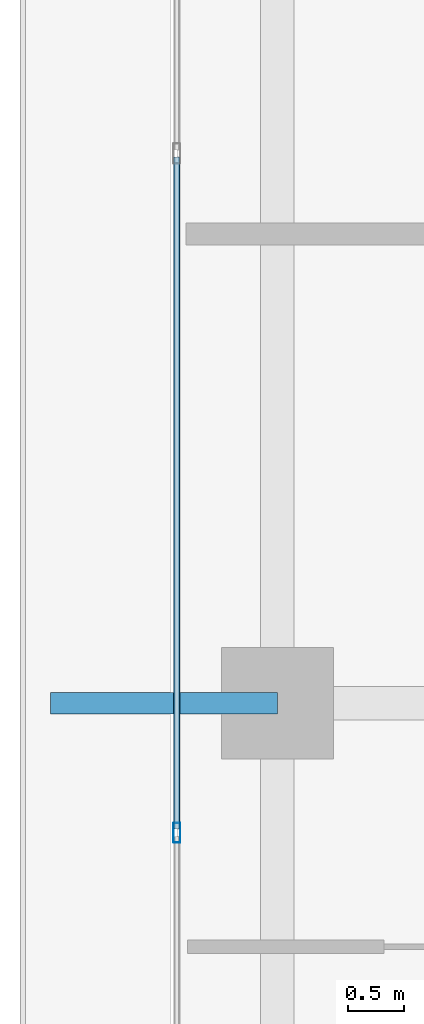
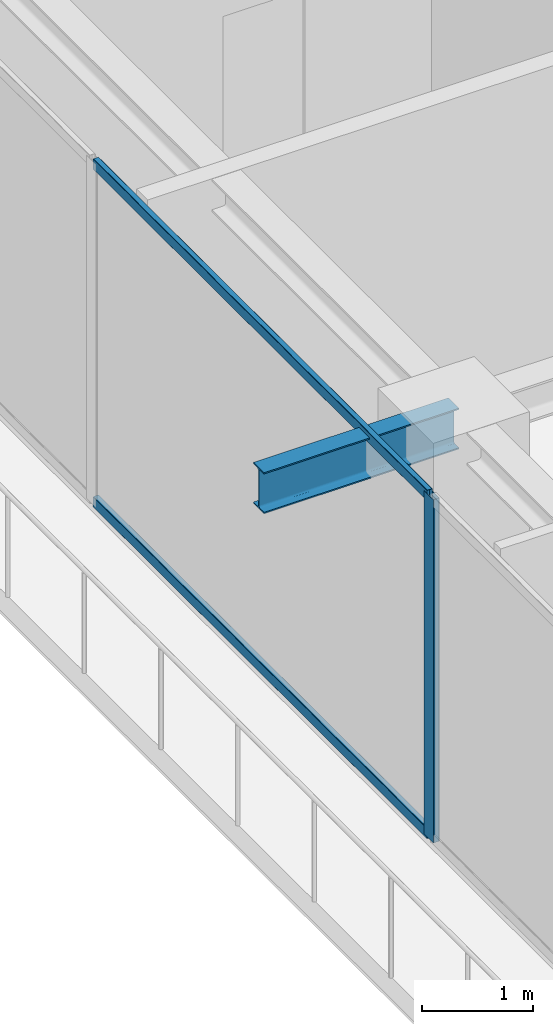
# One storey, part 10 of 42: 3 members, 1 beam, 1 element without a shape of its own.
"""IFC4 building model written with IfcOpenShell, lengths in metres."""

from ifc_helpers import new_model, si_unit, direction, frame, origin, origin_2d, place, context, subcontext, project, spatial, hollow_rectangle, i_section, extrude, source, transform, mapped, material, layer, layer_set, material_profile, profile_set, type_object, element, aggregate, save


model = new_model("IFC4")

# Units and contexts
model_context = context("Model", 3, precision=1e-05, world=origin(), true_north=direction((0.0, 1.0)))
body_context = subcontext(model_context, "Body", "Model", "MODEL_VIEW")
ifc_project = project(units=[si_unit("LENGTHUNIT", "METRE"), si_unit("AREAUNIT", "SQUARE_METRE"), si_unit("VOLUMEUNIT", "CUBIC_METRE"), si_unit("PLANEANGLEUNIT", "RADIAN"), si_unit("MASSUNIT", "GRAM", prefix="KILO")], contexts=[model_context])

# Site, building, storey
site_placement = place(None, origin())
site = spatial("IfcSite", under=ifc_project, at=site_placement, CompositionType="ELEMENT")
building_placement = place(site_placement, origin())
building = spatial("IfcBuilding", under=site, at=building_placement, Name="Serunith Strait Residences", CompositionType="ELEMENT")
storey_placement = place(building_placement, frame((0.0, 0.0, 297.5)))
storey = spatial("IfcBuildingStorey", under=building, at=storey_placement, Name="L74", CompositionType="ELEMENT", Elevation=297.5)

# Beam
ifc_material_1 = material(Name="Steel S355J2", Category="steel")
ifc_material_profile_1 = material_profile(ifc_material_1, i_section(OverallWidth=0.18994140625, OverallDepth=0.449951171875, WebThickness=0.009521484375, FlangeThickness=0.0146484375, FilletRadius=0.02099609375, at=origin_2d()), Name="IPE 450")
ifc_profile_set_1 = profile_set([ifc_material_profile_1], Name="Steel S355J2")
beam_type = type_object("IfcBeamType", Name="BM-IPE450", PredefinedType="JOIST", material=ifc_profile_set_1)
shared_shape_1 = source(origin(), body_context, "Body", "SweptSolid", [
    extrude(i_section(OverallWidth=0.18994140625, OverallDepth=0.449951171875, WebThickness=0.009521484375, FlangeThickness=0.0146484375, FilletRadius=0.02099609375, at=origin_2d()), origin(), (0.0, 0.0, 1.0), 2.030029296875),
])
beam_placement = place(storey_placement, frame((10.10009765625, 29.39990234375, 3.531982421875), z_axis=(-1.0, 0.0, 0.0), x_axis=(0.0, -1.0, 0.0)))
element("IfcBeam", 1, at=beam_placement, inside=storey, type_object=beam_type, Name="L75 Cantilevered Balcony Rib TC-W3", PredefinedType="JOIST", context=body_context, shape_type="MappedRepresentation", body=[
    mapped(shared_shape_1, transform((0.0, 0.0, 0.0), scale=1.0)),
])

# Curtain wall, members
ifc_material_2 = material(Name="Brushed Stainless-Silver Aluminium", Category="aluminium")
ifc_layer = layer(ifc_material_2, 0.199951171875, Name="Brushed Stainless-Silver Aluminium")
ifc_layer_set = layer_set([ifc_layer], Name="Brushed Stainless-Silver Aluminium")
curtain_wall_type = type_object("IfcCurtainWallType", Name="CW-SYS5", PredefinedType="NOTDEFINED", material=ifc_layer_set)
curtain_wall_placement = place(storey_placement, origin())
curtain_wall = element("IfcCurtainWall", 2, at=curtain_wall_placement, inside=storey, type_object=curtain_wall_type, Name="L74 W Unitised Fritted Curtain Wall", PredefinedType="NOTDEFINED")
ifc_material_profile_2 = material_profile(ifc_material_2, hollow_rectangle(XDim=0.06005859375, YDim=0.1201171875, WallThickness=0.00341796875, InnerFilletRadius=0.00537109375, OuterFilletRadius=0.0087890625, at=origin_2d()), Name="ALU 120x60x3.5")
ifc_profile_set_2 = profile_set([ifc_material_profile_2], Name="Brushed Stainless-Silver Aluminium")
member_type_1 = type_object("IfcMemberType", Name="CW-SYS5-TRAN", PredefinedType="USERDEFINED", material=ifc_profile_set_2)
shared_shape_2 = source(origin(), body_context, "Body", "SweptSolid", [
    extrude(hollow_rectangle(XDim=0.06005859375, YDim=0.1201171875, WallThickness=0.00341796875, InnerFilletRadius=0.00537109375, OuterFilletRadius=0.0087890625, at=origin_2d()), origin(), (0.0, 0.0, 1.0), 6.01513671875),
])
member_1_placement = place(storey_placement, frame((9.199951171875, 34.28759765625, 0.030029296875), z_axis=(0.0, -1.0, 0.0), x_axis=(1.0, 0.0, 0.0)))
member_1 = element("IfcMember", 3, at=member_1_placement, type_object=member_type_1, Name="CW-5 transom 2.1", ObjectType="TRANSOM", PredefinedType="USERDEFINED", context=body_context, shape_type="MappedRepresentation", body=[
    mapped(shared_shape_2, transform((0.0, 0.0, 0.0), scale=1.0)),
])
member_2_placement = place(storey_placement, frame((9.199951171875, 34.28759765625, 3.7451171875), z_axis=(0.0, -1.0, 0.0), x_axis=(1.0, 0.0, 0.0)))
member_2 = element("IfcMember", 4, at=member_2_placement, type_object=member_type_1, Name="CW-5 transom 2.2", ObjectType="TRANSOM", PredefinedType="USERDEFINED", context=body_context, shape_type="MappedRepresentation", body=[
    mapped(shared_shape_2, transform((0.0, 0.0, 0.0), scale=1.0)),
])
ifc_material_profile_3 = material_profile(ifc_material_2, hollow_rectangle(XDim=0.06494140625, YDim=0.179931640625, WallThickness=0.00341796875, InnerFilletRadius=0.00537109375, OuterFilletRadius=0.0087890625, at=origin_2d()), Name="ALU 180x65x3.5")
ifc_profile_set_3 = profile_set([ifc_material_profile_3], Name="Brushed Stainless-Silver Aluminium")
member_type_2 = type_object("IfcMemberType", Name="CW-SYS5-MULL", PredefinedType="MULLION", material=ifc_profile_set_3)
shared_shape_3 = source(origin(), body_context, "Body", "SweptSolid", [
    extrude(hollow_rectangle(XDim=0.06494140625, YDim=0.179931640625, WallThickness=0.00341796875, InnerFilletRadius=0.00537109375, OuterFilletRadius=0.0087890625, at=origin_2d()), origin(), (0.0, 0.0, 1.0), 3.77490234375),
])
member_3_placement = place(storey_placement, frame((9.199951171875, 28.239990234375, 0.0), z_axis=(0.0, 0.0, 1.0), x_axis=(1.0, 0.0, 0.0)))
member_3 = element("IfcMember", 5, at=member_3_placement, type_object=member_type_2, Name="CW-5 mullion 3", PredefinedType="MULLION", context=body_context, shape_type="MappedRepresentation", body=[
    mapped(shared_shape_3, transform((0.0, 0.0, 0.0), scale=1.0)),
])
aggregate(curtain_wall, [member_3, member_1, member_2])

save(model, "model.ifc")
